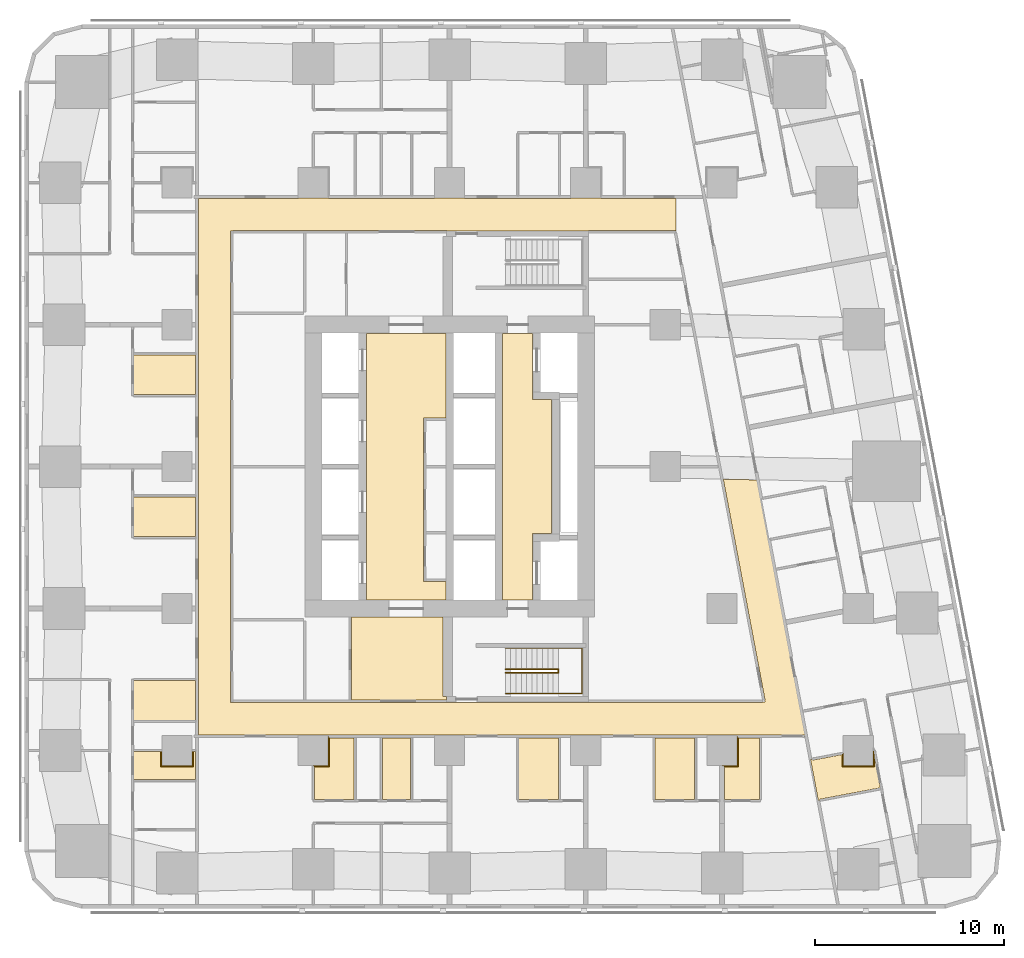
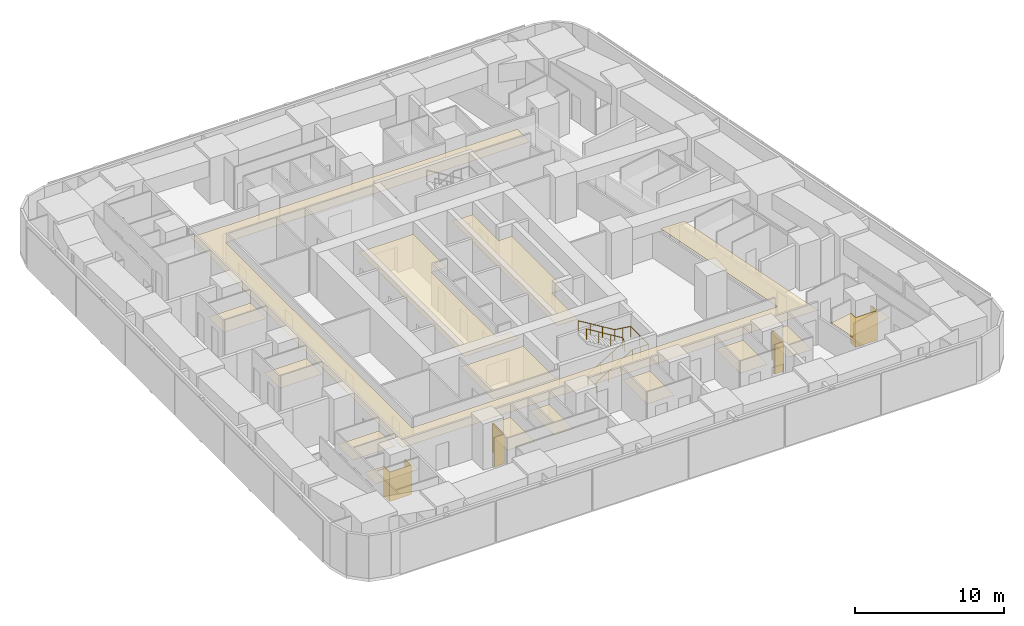
# One storey, part 12 of 14: 18 coverings, 2 railings.
"""IFC4 building model written with IfcOpenShell, lengths in metres."""

from ifc_helpers import new_model, si_unit, direction, frame, origin, origin_2d, place, context, subcontext, project, spatial, polyline, circle, outline, extrude, material, layer, layer_set, type_object, element, save


model = new_model("IFC4")

# Units and contexts
model_context = context("Model", 3, precision=1e-05, world=origin(), true_north=direction((0.0, 1.0)))
body_context = subcontext(model_context, "Body", "Model", "MODEL_VIEW")
ifc_project = project(units=[si_unit("LENGTHUNIT", "METRE"), si_unit("AREAUNIT", "SQUARE_METRE"), si_unit("VOLUMEUNIT", "CUBIC_METRE"), si_unit("PLANEANGLEUNIT", "RADIAN"), si_unit("MASSUNIT", "GRAM", prefix="KILO")], contexts=[model_context])

# Site, building, storey
site_placement = place(None, origin())
site = spatial("IfcSite", under=ifc_project, at=site_placement, CompositionType="ELEMENT")
building_placement = place(site_placement, origin())
building = spatial("IfcBuilding", under=site, at=building_placement, Name="Sheger Commons Tower", CompositionType="ELEMENT")
storey_placement = place(building_placement, frame((0.0, 0.0, 122.89990234375)))
storey = spatial("IfcBuildingStorey", under=building, at=storey_placement, Name="L31", CompositionType="ELEMENT", Elevation=122.89990234375)

# Railings
ifc_material_1 = material(Name="Steel handrail, black powder-coated", Category="steel")
railing_type = type_object("IfcRailingType", Name="HANDRAIL 900", PredefinedType="HANDRAIL", material=ifc_material_1)
railing_1_placement = place(storey_placement, frame((24.550048828125, 11.60009765625, 0.170654296875)))
element("IfcRailing", 1, at=railing_1_placement, inside=storey, type_object=railing_type, Name="Stair S1 handrail L31", PredefinedType="HANDRAIL", context=body_context, shape_type="SweptSolid", body=[
    extrude(circle(Radius=0.02392578125, at=origin_2d()), frame((0.0, 0.0, 0.8759765625), z_axis=(0.854202870247, 0.0, 0.519939858505), x_axis=(0.0, 1.0, 0.0)), (0.0, 0.0, 1.0), 3.278076171875),
    extrude(circle(Radius=0.02392578125, at=origin_2d()), frame((2.800048828125, 0.0, 2.580078125), z_axis=(0.0, 0.760631612298, 0.649183757016), x_axis=(-1.0, 0.0, 0.0)), (0.0, 0.0, 1.0), 0.262939453125),
    extrude(circle(Radius=0.02392578125, at=origin_2d()), frame((2.800048828125, 0.199951171875, 2.7509765625), z_axis=(-0.854202870247, 0.0, 0.519939858505), x_axis=(0.0, -1.0, 0.0)), (0.0, 0.0, 1.0), 3.278076171875),
    extrude(circle(Radius=0.02099609375, at=origin_2d()), origin(), (0.0, 0.0, 1.0), 0.851806640625),
    extrude(circle(Radius=0.02099609375, at=origin_2d()), frame((0.933349609375, 0.0, 0.568115234375)), (0.0, 0.0, 1.0), 0.851806640625),
    extrude(circle(Radius=0.02099609375, at=origin_2d()), frame((1.86669921875, 0.0, 1.13623046875)), (0.0, 0.0, 1.0), 0.851806640625),
    extrude(circle(Radius=0.02099609375, at=origin_2d()), frame((2.800048828125, 0.0, 1.704345703125)), (0.0, 0.0, 1.0), 0.851806640625),
    extrude(circle(Radius=0.02099609375, at=origin_2d()), frame((2.800048828125, 0.199951171875, 1.875)), (0.0, 0.0, 1.0), 0.851806640625),
    extrude(circle(Radius=0.02099609375, at=origin_2d()), frame((1.86669921875, 0.199951171875, 2.443115234375)), (0.0, 0.0, 1.0), 0.851806640625),
    extrude(circle(Radius=0.02099609375, at=origin_2d()), frame((0.933349609375, 0.199951171875, 3.01123046875)), (0.0, 0.0, 1.0), 0.851806640625),
    extrude(circle(Radius=0.02099609375, at=origin_2d()), frame((0.0, 0.199951171875, 3.579345703125)), (0.0, 0.0, 1.0), 0.851806640625),
])
railing_2_placement = place(storey_placement, frame((24.550048828125, 10.5, 0.170654296875)))
element("IfcRailing", 2, at=railing_2_placement, inside=storey, type_object=railing_type, Name="Stair S1 handrail L31", PredefinedType="HANDRAIL", context=body_context, shape_type="SweptSolid", body=[
    extrude(circle(Radius=0.02392578125, at=origin_2d()), frame((0.0, 0.0, 0.8759765625), z_axis=(0.854202870247, 0.0, 0.519939858505), x_axis=(0.0, 1.0, 0.0)), (0.0, 0.0, 1.0), 3.278076171875),
    extrude(circle(Radius=0.02392578125, at=origin_2d()), frame((2.800048828125, 0.0, 2.580078125), z_axis=(1.0, 0.0, 0.0), x_axis=(0.0, 1.0, 0.0)), (0.0, 0.0, 1.0), 1.25),
    extrude(circle(Radius=0.02392578125, at=origin_2d()), frame((4.050048828125, 0.0, 2.580078125), z_axis=(0.0, 1.0, 0.0), x_axis=(-1.0, 0.0, 0.0)), (0.0, 0.0, 1.0), 2.39990234375),
    extrude(circle(Radius=0.02392578125, at=origin_2d()), frame((4.050048828125, 2.39990234375, 2.580078125), z_axis=(-0.990808959222, 0.0, 0.135268645019), x_axis=(0.0, -1.0, 0.0)), (0.0, 0.0, 1.0), 1.261474609375),
    extrude(circle(Radius=0.02392578125, at=origin_2d()), frame((2.800048828125, 2.39990234375, 2.7509765625), z_axis=(-0.854202870247, 0.0, 0.519939858505), x_axis=(0.0, -1.0, 0.0)), (0.0, 0.0, 1.0), 3.278076171875),
    extrude(circle(Radius=0.02099609375, at=origin_2d()), origin(), (0.0, 0.0, 1.0), 0.851806640625),
    extrude(circle(Radius=0.02099609375, at=origin_2d()), frame((0.933349609375, 0.0, 0.568115234375)), (0.0, 0.0, 1.0), 0.851806640625),
    extrude(circle(Radius=0.02099609375, at=origin_2d()), frame((1.86669921875, 0.0, 1.13623046875)), (0.0, 0.0, 1.0), 0.851806640625),
    extrude(circle(Radius=0.02099609375, at=origin_2d()), frame((2.800048828125, 0.0, 1.704345703125)), (0.0, 0.0, 1.0), 0.851806640625),
    extrude(circle(Radius=0.02099609375, at=origin_2d()), frame((3.425048828125, 0.0, 1.704345703125)), (0.0, 0.0, 1.0), 0.851806640625),
    extrude(circle(Radius=0.02099609375, at=origin_2d()), frame((4.050048828125, 0.0, 1.704345703125)), (0.0, 0.0, 1.0), 0.851806640625),
    extrude(circle(Radius=0.02099609375, at=origin_2d()), frame((4.050048828125, 1.199951171875, 1.704345703125)), (0.0, 0.0, 1.0), 0.851806640625),
    extrude(circle(Radius=0.02099609375, at=origin_2d()), frame((4.050048828125, 2.39990234375, 1.704345703125)), (0.0, 0.0, 1.0), 0.851806640625),
    extrude(circle(Radius=0.02099609375, at=origin_2d()), frame((3.425048828125, 2.39990234375, 1.78955078125)), (0.0, 0.0, 1.0), 0.851806640625),
    extrude(circle(Radius=0.02099609375, at=origin_2d()), frame((2.800048828125, 2.39990234375, 1.875)), (0.0, 0.0, 1.0), 0.851806640625),
    extrude(circle(Radius=0.02099609375, at=origin_2d()), frame((1.86669921875, 2.39990234375, 2.443115234375)), (0.0, 0.0, 1.0), 0.851806640625),
    extrude(circle(Radius=0.02099609375, at=origin_2d()), frame((0.933349609375, 2.39990234375, 3.01123046875)), (0.0, 0.0, 1.0), 0.851806640625),
    extrude(circle(Radius=0.02099609375, at=origin_2d()), frame((0.0, 2.39990234375, 3.579345703125)), (0.0, 0.0, 1.0), 0.851806640625),
])

# Coverings
ifc_material_2 = material(Name="Moisture-resistant gypsum plasterboard 15 mm on a suspended galvanised steel grid", Category="steel")
ifc_layer_1 = layer(ifc_material_2, 0.014892578125)
ifc_layer_set_1 = layer_set([ifc_layer_1], Name="MOISTURE-RESISTANT CEILING 15")
covering_type_1 = type_object("IfcCoveringType", Name="MOISTURE-RESISTANT CEILING 15", PredefinedType="CEILING", material=ifc_layer_set_1)
covering_1_placement = place(storey_placement, frame((0.0, 0.0, 2.400146484375)))
element("IfcCovering", 3, at=covering_1_placement, inside=storey, type_object=covering_type_1, Name="L31-01.B1 ceiling", PredefinedType="CEILING", context=body_context, shape_type="SweptSolid", body=[
    extrude(outline(polyline([(4.905029296875, 9.094970703125), (8.169921875, 9.094970703125), (8.169921875, 11.195068359375), (4.905029296875, 11.195068359375), (4.905029296875, 9.094970703125)])), origin(), (0.0, 0.0, 1.0), 0.014892578125),
])
covering_2_placement = place(storey_placement, frame((0.0, 0.0, 2.400146484375)))
element("IfcCovering", 4, at=covering_2_placement, inside=storey, type_object=covering_type_1, Name="L31-01.B2 ceiling", PredefinedType="CEILING", context=body_context, shape_type="SweptSolid", body=[
    extrude(outline(polyline([(4.905029296875, 5.955078125), (8.169921875, 5.955078125), (8.169921875, 7.445068359375), (8.0048828125, 7.445068359375), (8.0048828125, 6.695068359375), (6.39501953125, 6.695068359375), (6.39501953125, 7.445068359375), (4.905029296875, 7.445068359375), (4.905029296875, 5.955078125)])), origin(), (0.0, 0.0, 1.0), 0.014892578125),
])
covering_3_placement = place(storey_placement, frame((0.0, 0.0, 2.400146484375)))
element("IfcCovering", 5, at=covering_3_placement, inside=storey, type_object=covering_type_1, Name="L31-02.B1 ceiling", PredefinedType="CEILING", context=body_context, shape_type="SweptSolid", body=[
    extrude(outline(polyline([(4.905029296875, 18.804931640625), (8.169921875, 18.804931640625), (8.169921875, 20.905029296875), (4.905029296875, 20.905029296875), (4.905029296875, 18.804931640625)])), origin(), (0.0, 0.0, 1.0), 0.014892578125),
])
covering_4_placement = place(storey_placement, frame((0.0, 0.0, 2.400146484375)))
element("IfcCovering", 6, at=covering_4_placement, inside=storey, type_object=covering_type_1, Name="L31-03.B1 ceiling", PredefinedType="CEILING", context=body_context, shape_type="SweptSolid", body=[
    extrude(outline(polyline([(4.905029296875, 26.304931640625), (8.169921875, 26.304931640625), (8.169921875, 28.405029296875), (4.905029296875, 28.405029296875), (4.905029296875, 26.304931640625)])), origin(), (0.0, 0.0, 1.0), 0.014892578125),
])
covering_5_placement = place(storey_placement, frame((0.0, 0.0, 2.400146484375)))
element("IfcCovering", 7, at=covering_5_placement, inside=storey, type_object=covering_type_1, Name="L31-05.B1 ceiling", PredefinedType="CEILING", context=body_context, shape_type="SweptSolid", body=[
    extrude(outline(polyline([(14.455078125, 4.905029296875), (16.554931640625, 4.905029296875), (16.554931640625, 8.169921875), (15.205078125, 8.169921875), (15.205078125, 6.695068359375), (14.455078125, 6.695068359375), (14.455078125, 4.905029296875)])), origin(), (0.0, 0.0, 1.0), 0.014892578125),
])
covering_6_placement = place(storey_placement, frame((0.0, 0.0, 2.400146484375)))
element("IfcCovering", 8, at=covering_6_placement, inside=storey, type_object=covering_type_1, Name="L31-05.B2 ceiling", PredefinedType="CEILING", context=body_context, shape_type="SweptSolid", body=[
    extrude(outline(polyline([(18.054931640625, 4.905029296875), (19.544921875, 4.905029296875), (19.544921875, 8.169921875), (18.054931640625, 8.169921875), (18.054931640625, 4.905029296875)])), origin(), (0.0, 0.0, 1.0), 0.014892578125),
])
covering_7_placement = place(storey_placement, frame((0.0, 0.0, 2.400146484375)))
element("IfcCovering", 9, at=covering_7_placement, inside=storey, type_object=covering_type_1, Name="L31-06.B1 ceiling", PredefinedType="CEILING", context=body_context, shape_type="SweptSolid", body=[
    extrude(outline(polyline([(25.2548828125, 4.905029296875), (27.35498046875, 4.905029296875), (27.35498046875, 8.169921875), (25.2548828125, 8.169921875), (25.2548828125, 4.905029296875)])), origin(), (0.0, 0.0, 1.0), 0.014892578125),
])
covering_8_placement = place(storey_placement, frame((0.0, 0.0, 2.400146484375)))
element("IfcCovering", 10, at=covering_8_placement, inside=storey, type_object=covering_type_1, Name="L31-07.B1 ceiling", PredefinedType="CEILING", context=body_context, shape_type="SweptSolid", body=[
    extrude(outline(polyline([(32.455078125, 4.905029296875), (34.554931640625, 4.905029296875), (34.554931640625, 8.169921875), (32.455078125, 8.169921875), (32.455078125, 4.905029296875)])), origin(), (0.0, 0.0, 1.0), 0.014892578125),
])
covering_9_placement = place(storey_placement, frame((0.0, 0.0, 2.400146484375)))
element("IfcCovering", 11, at=covering_9_placement, inside=storey, type_object=covering_type_1, Name="L31-08.B1 ceiling", PredefinedType="CEILING", context=body_context, shape_type="SweptSolid", body=[
    extrude(outline(polyline([(36.1298828125, 4.905029296875), (37.97412109375, 4.905029296875), (37.97412109375, 8.169921875), (36.804931640625, 8.169921875), (36.804931640625, 6.695068359375), (36.1298828125, 6.695068359375), (36.1298828125, 4.905029296875)])), origin(), (0.0, 0.0, 1.0), 0.014892578125),
])
covering_10_placement = place(storey_placement, frame((0.0, 0.0, 2.400146484375)))
element("IfcCovering", 12, at=covering_10_placement, inside=storey, type_object=covering_type_1, Name="L31-12.B1 ceiling", PredefinedType="CEILING", context=body_context, shape_type="SweptSolid", body=[
    extrude(outline(polyline([(41.087890625, 4.85205078125), (41.156005859375, 4.864990234375), (41.14599609375, 4.9189453125), (44.364013671875, 5.527099609375), (44.007080078125, 7.4150390625), (44.0048828125, 7.4150390625), (44.0048828125, 6.695068359375), (42.39501953125, 6.695068359375), (42.39501953125, 7.29296875), (40.756103515625, 6.98291015625), (40.74609375, 7.037109375), (40.677001953125, 7.02392578125), (41.087890625, 4.85205078125)])), origin(), (0.0, 0.0, 1.0), 0.014892578125),
])
ifc_material_3 = material(Name="Gypsum plasterboard 15 mm on a suspended steel grid", Category="steel")
ifc_layer_2 = layer(ifc_material_3, 0.014892578125)
ifc_layer_set_2 = layer_set([ifc_layer_2], Name="SUSPENDED CEILING 15")
covering_type_2 = type_object("IfcCoveringType", Name="SUSPENDED CEILING 15", PredefinedType="CEILING", material=ifc_layer_set_2)
covering_11_placement = place(storey_placement, frame((0.0, 0.0, 2.7001953125)))
element("IfcCovering", 13, at=covering_11_placement, inside=storey, type_object=covering_type_2, Name="L31-CO ceiling", PredefinedType="CEILING", context=body_context, shape_type="SweptSolid", body=[
    extrude(outline(polyline([(40.361083984375, 8.25), (40.446044921875, 8.25), (37.886962890625, 21.7958984375), (36.06591796875, 21.8330078125), (38.26904296875, 10.1708984375), (38.251953125, 10.1669921875), (38.27392578125, 10.050048828125), (38.14306640625, 10.050048828125), (38.14306640625, 10.031982421875), (28.945068359375, 10.031982421875), (28.945068359375, 10.044921875), (21.455078125, 10.044921875), (21.455078125, 10.031982421875), (10.157958984375, 10.031982421875), (10.157958984375, 10.044921875), (10.031982421875, 10.044921875), (10.031982421875, 34.955078125), (10.157958984375, 34.955078125), (10.157958984375, 34.968017578125), (21.455078125, 34.968017578125), (21.455078125, 34.949951171875), (28.945068359375, 34.949951171875), (28.945068359375, 34.968017578125), (33.54296875, 34.968017578125), (33.54296875, 34.949951171875), (33.568115234375, 34.949951171875), (33.568115234375, 36.669921875), (29.595947265625, 36.669921875), (29.595947265625, 36.695068359375), (28.00390625, 36.695068359375), (28.00390625, 36.669921875), (22.39599609375, 36.669921875), (22.39599609375, 36.695068359375), (20.803955078125, 36.695068359375), (20.803955078125, 36.669921875), (15.196044921875, 36.669921875), (15.196044921875, 36.695068359375), (13.60400390625, 36.695068359375), (13.60400390625, 36.669921875), (8.330078125, 36.669921875), (8.330078125, 8.330078125), (13.60400390625, 8.330078125), (13.60400390625, 8.304931640625), (15.196044921875, 8.304931640625), (15.196044921875, 8.330078125), (20.803955078125, 8.330078125), (20.803955078125, 8.304931640625), (22.39599609375, 8.304931640625), (22.39599609375, 8.330078125), (28.00390625, 8.330078125), (28.00390625, 8.304931640625), (29.595947265625, 8.304931640625), (29.595947265625, 8.330078125), (35.2041015625, 8.330078125), (35.2041015625, 8.304931640625), (36.7958984375, 8.304931640625), (36.7958984375, 8.330078125), (40.361083984375, 8.330078125), (40.361083984375, 8.25)])), origin(), (0.0, 0.0, 1.0), 0.014892578125),
])
covering_12_placement = place(storey_placement, frame((0.0, 0.0, 2.7001953125)))
element("IfcCovering", 14, at=covering_12_placement, inside=storey, type_object=covering_type_2, Name="L31-SVS1 ceiling", PredefinedType="CEILING", context=body_context, shape_type="SweptSolid", body=[
    extrude(outline(polyline([(16.406982421875, 10.16796875), (21.445068359375, 10.16796875), (21.445068359375, 10.344970703125), (21.2451171875, 10.344970703125), (21.2451171875, 14.544921875), (16.406982421875, 14.544921875), (16.406982421875, 10.16796875)])), origin(), (0.0, 0.0, 1.0), 0.014892578125),
])
covering_13_placement = place(storey_placement, frame((0.0, 0.0, 2.7001953125)))
element("IfcCovering", 15, at=covering_13_placement, inside=storey, type_object=covering_type_2, Name="L31-LL ceiling", PredefinedType="CEILING", context=body_context, shape_type="SweptSolid", body=[
    extrude(outline(polyline([(17.205078125, 15.455078125), (21.39990234375, 15.455078125), (21.39990234375, 16.43310546875), (20.35791015625, 16.43310546875), (20.23291015625, 16.43310546875), (20.23291015625, 25.06689453125), (20.35791015625, 25.06689453125), (21.39990234375, 25.06689453125), (21.39990234375, 29.544921875), (17.205078125, 29.544921875), (17.205078125, 15.455078125)])), origin(), (0.0, 0.0, 1.0), 0.014892578125),
])
covering_14_placement = place(storey_placement, frame((0.0, 0.0, 2.7001953125)))
element("IfcCovering", 16, at=covering_14_placement, inside=storey, type_object=covering_type_2, Name="L31-FL ceiling", PredefinedType="CEILING", context=body_context, shape_type="SweptSolid", body=[
    extrude(outline(polyline([(24.405029296875, 15.455078125), (25.9951171875, 15.455078125), (25.9951171875, 18.955078125), (26.9951171875, 18.955078125), (26.9951171875, 26.044921875), (25.9951171875, 26.044921875), (25.9951171875, 29.544921875), (24.405029296875, 29.544921875), (24.405029296875, 15.455078125)])), origin(), (0.0, 0.0, 1.0), 0.014892578125),
])
ifc_material_4 = material(Name="Moisture-resistant gypsum board 12.5 mm on 25 mm treated timber battens, tanked and tiled", Category="wood")
ifc_layer_3 = layer(ifc_material_4, 0.050048828125)
ifc_layer_set_3 = layer_set([ifc_layer_3], Name="WET-ROOM COLUMN LINING")
covering_type_3 = type_object("IfcCoveringType", Name="WET-ROOM COLUMN LINING", PredefinedType="CLADDING", material=ifc_layer_set_3)
covering_15_placement = place(storey_placement, origin())
element("IfcCovering", 17, at=covering_15_placement, inside=storey, type_object=covering_type_3, Name="Shower room column lining C9 L31", PredefinedType="CLADDING", context=body_context, shape_type="SweptSolid", body=[
    extrude(outline(polyline([(6.39990234375, 7.5), (6.39990234375, 6.699951171875), (8.0, 6.699951171875), (8.0, 7.5), (8.0009765625, 7.5), (8.0009765625, 7.449951171875), (8.050048828125, 7.449951171875), (8.050048828125, 6.64990234375), (6.35009765625, 6.64990234375), (6.35009765625, 7.449951171875), (6.39892578125, 7.449951171875), (6.39892578125, 7.5), (6.39990234375, 7.5)])), origin(), (0.0, 0.0, 1.0), 2.400146484375),
])
covering_16_placement = place(storey_placement, origin())
element("IfcCovering", 18, at=covering_16_placement, inside=storey, type_object=covering_type_3, Name="Bathroom column lining C9 L31", PredefinedType="CLADDING", context=body_context, shape_type="SweptSolid", body=[
    extrude(outline(polyline([(14.449951171875, 6.64990234375), (14.449951171875, 6.698974609375), (14.39990234375, 6.698974609375), (14.39990234375, 6.699951171875), (15.199951171875, 6.699951171875), (15.199951171875, 8.25), (15.200927734375, 8.25), (15.200927734375, 8.175048828125), (15.25, 8.175048828125), (15.25, 6.64990234375), (14.449951171875, 6.64990234375)])), origin(), (0.0, 0.0, 1.0), 2.400146484375),
])
covering_17_placement = place(storey_placement, origin())
element("IfcCovering", 19, at=covering_17_placement, inside=storey, type_object=covering_type_3, Name="Shower room column lining C9 L31", PredefinedType="CLADDING", context=body_context, shape_type="SweptSolid", body=[
    extrude(outline(polyline([(36.125, 6.64990234375), (36.125, 6.698974609375), (36.0, 6.698974609375), (36.0, 6.699951171875), (36.800048828125, 6.699951171875), (36.800048828125, 8.25), (36.801025390625, 8.25), (36.801025390625, 8.175048828125), (36.85009765625, 8.175048828125), (36.85009765625, 6.64990234375), (36.125, 6.64990234375)])), origin(), (0.0, 0.0, 1.0), 2.400146484375),
])
covering_18_placement = place(storey_placement, origin())
element("IfcCovering", 20, at=covering_18_placement, inside=storey, type_object=covering_type_3, Name="Bathroom column lining C9 L31", PredefinedType="CLADDING", context=body_context, shape_type="SweptSolid", body=[
    extrude(outline(polyline([(42.39990234375, 7.34912109375), (42.39990234375, 6.699951171875), (44.0, 6.699951171875), (44.0, 7.47998046875), (44.050048828125, 7.215087890625), (44.050048828125, 6.64990234375), (42.35009765625, 6.64990234375), (42.35009765625, 7.2900390625), (42.39892578125, 7.299072265625), (42.389892578125, 7.346923828125), (42.39990234375, 7.34912109375)])), origin(), (0.0, 0.0, 1.0), 2.400146484375),
])

save(model, "model.ifc")
